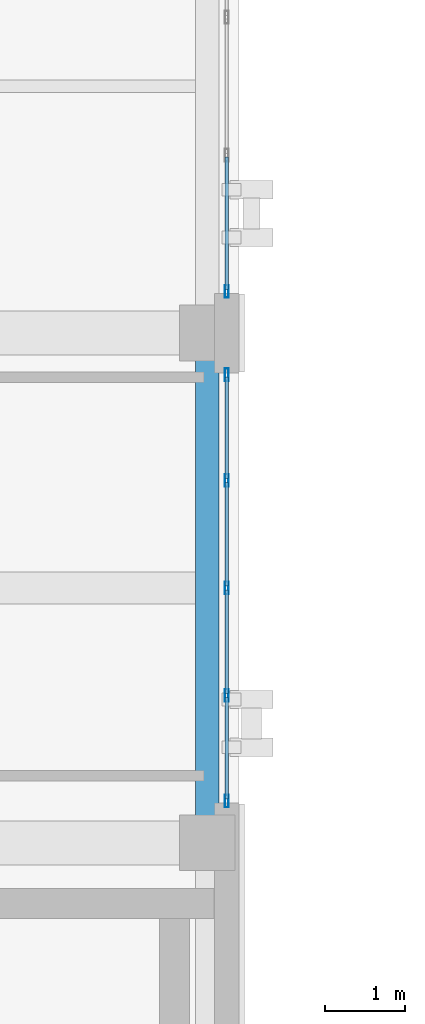
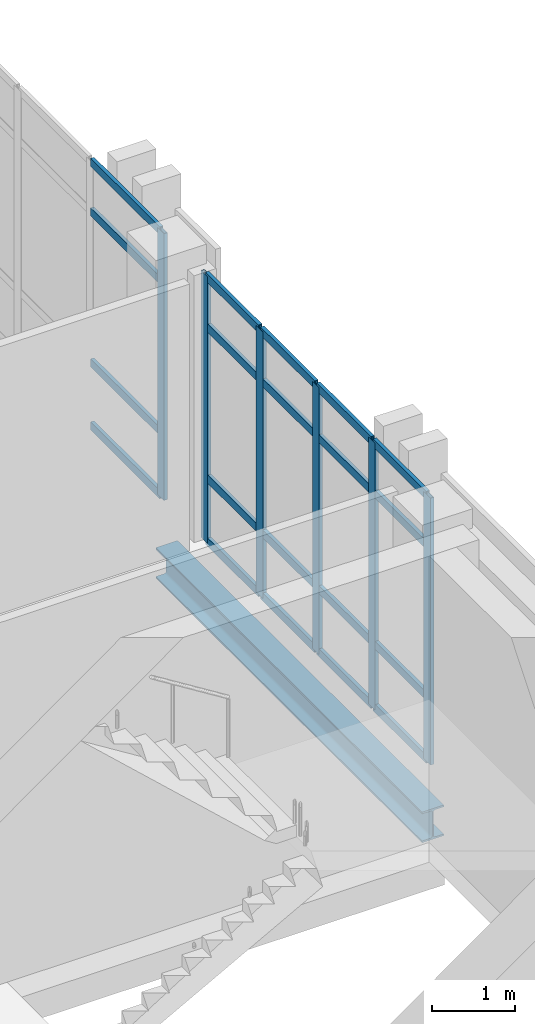
# One storey, part 108 of 193: 26 members, 1 beam, 2 elements without a shape of their own.
"""IFC4 building model written with IfcOpenShell, lengths in metres."""

from ifc_helpers import new_model, si_unit, direction, frame, origin, origin_2d, place, context, subcontext, project, spatial, hollow_rectangle, i_section, extrude, material, layer, layer_set, material_profile, profile_set, type_object, element, aggregate, save


model = new_model("IFC4")

# Units and contexts
model_context = context("Model", 3, precision=1e-05, world=origin(), true_north=direction((0.0, 1.0)))
body_context = subcontext(model_context, "Body", "Model", "MODEL_VIEW")
ifc_project = project(units=[si_unit("LENGTHUNIT", "METRE"), si_unit("AREAUNIT", "SQUARE_METRE"), si_unit("VOLUMEUNIT", "CUBIC_METRE"), si_unit("PLANEANGLEUNIT", "RADIAN"), si_unit("MASSUNIT", "GRAM", prefix="KILO")], contexts=[model_context])

# Site, building, storey
site_placement = place(None, origin())
site = spatial("IfcSite", under=ifc_project, at=site_placement, CompositionType="ELEMENT")
building_placement = place(site_placement, origin())
building = spatial("IfcBuilding", under=site, at=building_placement, Name="Qalavern Law Courts", CompositionType="ELEMENT")
storey_placement = place(building_placement, frame((0.0, 0.0, 10.199951171875)))
storey = spatial("IfcBuildingStorey", under=building, at=storey_placement, Name="L02", CompositionType="ELEMENT", Elevation=10.199951171875)

# Curtain wall, members
ifc_material_1 = material(Name="Anodised aluminium and insulated glazing", Category="aluminium")
ifc_layer = layer(ifc_material_1, 0.172119140625)
ifc_layer_set = layer_set([ifc_layer], Name="Anodised aluminium and insulated glazing")
curtain_wall_type = type_object("IfcCurtainWallType", Name="ENV-CW-COURT", PredefinedType="USERDEFINED", material=ifc_layer_set)
curtain_wall_1_placement = place(storey_placement, origin())
curtain_wall_1 = element("IfcCurtainWall", 1, at=curtain_wall_1_placement, inside=storey, type_object=curtain_wall_type, Name="V4 unitised curtain wall L02 east 4", ObjectType="UNITISED CURTAIN WALL", PredefinedType="USERDEFINED")
ifc_material_2 = material(Name="Anodised aluminium", Category="aluminium")
ifc_material_profile_1 = material_profile(ifc_material_2, hollow_rectangle(XDim=0.048095703125, YDim=0.159912109375, WallThickness=0.00390625, at=origin_2d()), Name="ALU MULLION 48x160")
ifc_profile_set_1 = profile_set([ifc_material_profile_1], Name="Anodised aluminium")
member_type_1 = type_object("IfcMemberType", Name="ENV-CWM-48x160", PredefinedType="MULLION", material=ifc_profile_set_1)
member_1_placement = place(storey_placement, frame((106.64501953125, 73.323974609375, 0.0), z_axis=(0.0, 0.0, 1.0), x_axis=(-1.0, 0.0, 0.0)))
member_1 = element("IfcMember", 2, at=member_1_placement, type_object=member_type_1, Name="CW-03 mullion 1", PredefinedType="MULLION", context=body_context, shape_type="SweptSolid", body=[
    extrude(hollow_rectangle(XDim=0.048095703125, YDim=0.159912109375, WallThickness=0.00390625, at=origin_2d()), origin(), (0.0, 0.0, 1.0), 3.9150390625),
])
member_2_placement = place(storey_placement, frame((106.64501953125, 74.64990234375, 0.0), z_axis=(0.0, 0.0, 1.0), x_axis=(-1.0, 0.0, 0.0)))
member_2 = element("IfcMember", 3, at=member_2_placement, type_object=member_type_1, Name="CW-03 mullion 2", PredefinedType="MULLION", context=body_context, shape_type="SweptSolid", body=[
    extrude(hollow_rectangle(XDim=0.048095703125, YDim=0.159912109375, WallThickness=0.00390625, at=origin_2d()), origin(), (0.0, 0.0, 1.0), 3.9150390625),
])
member_3_placement = place(storey_placement, frame((106.64501953125, 76.0, 0.0), z_axis=(0.0, 0.0, 1.0), x_axis=(-1.0, 0.0, 0.0)))
member_3 = element("IfcMember", 4, at=member_3_placement, type_object=member_type_1, Name="CW-03 mullion 3", PredefinedType="MULLION", context=body_context, shape_type="SweptSolid", body=[
    extrude(hollow_rectangle(XDim=0.048095703125, YDim=0.159912109375, WallThickness=0.00390625, at=origin_2d()), origin(), (0.0, 0.0, 1.0), 3.9150390625),
])
member_4_placement = place(storey_placement, frame((106.64501953125, 77.35009765625, 0.0), z_axis=(0.0, 0.0, 1.0), x_axis=(-1.0, 0.0, 0.0)))
member_4 = element("IfcMember", 5, at=member_4_placement, type_object=member_type_1, Name="CW-03 mullion 4", PredefinedType="MULLION", context=body_context, shape_type="SweptSolid", body=[
    extrude(hollow_rectangle(XDim=0.048095703125, YDim=0.159912109375, WallThickness=0.00390625, at=origin_2d()), origin(), (0.0, 0.0, 1.0), 3.9150390625),
])
member_5_placement = place(storey_placement, frame((106.64501953125, 78.676025390625, 0.0), z_axis=(0.0, 0.0, 1.0), x_axis=(-1.0, 0.0, 0.0)))
member_5 = element("IfcMember", 6, at=member_5_placement, type_object=member_type_1, Name="CW-03 mullion 5", PredefinedType="MULLION", context=body_context, shape_type="SweptSolid", body=[
    extrude(hollow_rectangle(XDim=0.048095703125, YDim=0.159912109375, WallThickness=0.00390625, at=origin_2d()), origin(), (0.0, 0.0, 1.0), 3.9150390625),
])

# Curtain wall, member
curtain_wall_2_placement = place(storey_placement, origin())
curtain_wall_2 = element("IfcCurtainWall", 7, at=curtain_wall_2_placement, inside=storey, type_object=curtain_wall_type, Name="V4 unitised curtain wall L02 east 5", ObjectType="UNITISED CURTAIN WALL", PredefinedType="USERDEFINED")
member_6_placement = place(storey_placement, frame((106.64501953125, 79.72412109375, 0.0), z_axis=(0.0, 0.0, 1.0), x_axis=(-1.0, 0.0, 0.0)))
member_6 = element("IfcMember", 8, at=member_6_placement, type_object=member_type_1, Name="CW-03 mullion 1", PredefinedType="MULLION", context=body_context, shape_type="SweptSolid", body=[
    extrude(hollow_rectangle(XDim=0.048095703125, YDim=0.159912109375, WallThickness=0.00390625, at=origin_2d()), origin(), (0.0, 0.0, 1.0), 3.9150390625),
])

# Member
ifc_material_profile_2 = material_profile(ifc_material_2, hollow_rectangle(XDim=0.048095703125, YDim=0.1201171875, WallThickness=0.00390625, at=origin_2d()), Name="ALU TRANSOM 48x120")
ifc_profile_set_2 = profile_set([ifc_material_profile_2], Name="Anodised aluminium")
member_type_2 = type_object("IfcMemberType", Name="ENV-CWT-48x120", PredefinedType="USERDEFINED", material=ifc_profile_set_2)
member_7_placement = place(storey_placement, frame((106.64501953125, 73.347900390625, 0.024169921875), z_axis=(0.0, 1.0, 0.0), x_axis=(-1.0, 0.0, 0.0)))
member_7 = element("IfcMember", 9, at=member_7_placement, type_object=member_type_2, Name="CW-03 transom 1.1", ObjectType="TRANSOM", PredefinedType="USERDEFINED", context=body_context, shape_type="SweptSolid", body=[
    extrude(hollow_rectangle(XDim=0.048095703125, YDim=0.1201171875, WallThickness=0.00390625, at=origin_2d()), origin(), (0.0, 0.0, 1.0), 1.278076171875),
])

member_8_placement = place(storey_placement, frame((106.64501953125, 73.347900390625, 0.949951171875), z_axis=(0.0, 1.0, 0.0), x_axis=(-1.0, 0.0, 0.0)))
member_8 = element("IfcMember", 10, at=member_8_placement, type_object=member_type_2, Name="CW-03 transom 1.2", ObjectType="TRANSOM", PredefinedType="USERDEFINED", context=body_context, shape_type="SweptSolid", body=[
    extrude(hollow_rectangle(XDim=0.048095703125, YDim=0.1201171875, WallThickness=0.00390625, at=origin_2d()), origin(), (0.0, 0.0, 1.0), 1.278076171875),
])

member_9_placement = place(storey_placement, frame((106.64501953125, 73.347900390625, 3.1650390625), z_axis=(0.0, 1.0, 0.0), x_axis=(-1.0, 0.0, 0.0)))
member_9 = element("IfcMember", 11, at=member_9_placement, type_object=member_type_2, Name="CW-03 transom 1.3", ObjectType="TRANSOM", PredefinedType="USERDEFINED", context=body_context, shape_type="SweptSolid", body=[
    extrude(hollow_rectangle(XDim=0.048095703125, YDim=0.1201171875, WallThickness=0.00390625, at=origin_2d()), origin(), (0.0, 0.0, 1.0), 1.278076171875),
])

member_10_placement = place(storey_placement, frame((106.64501953125, 73.347900390625, 3.89111328125), z_axis=(0.0, 1.0, 0.0), x_axis=(-1.0, 0.0, 0.0)))
member_10 = element("IfcMember", 12, at=member_10_placement, type_object=member_type_2, Name="CW-03 transom 1.4", ObjectType="TRANSOM", PredefinedType="USERDEFINED", context=body_context, shape_type="SweptSolid", body=[
    extrude(hollow_rectangle(XDim=0.048095703125, YDim=0.1201171875, WallThickness=0.00390625, at=origin_2d()), origin(), (0.0, 0.0, 1.0), 1.278076171875),
])

member_11_placement = place(storey_placement, frame((106.64501953125, 74.674072265625, 0.024169921875), z_axis=(0.0, 1.0, 0.0), x_axis=(-1.0, 0.0, 0.0)))
member_11 = element("IfcMember", 13, at=member_11_placement, type_object=member_type_2, Name="CW-03 transom 2.1", ObjectType="TRANSOM", PredefinedType="USERDEFINED", context=body_context, shape_type="SweptSolid", body=[
    extrude(hollow_rectangle(XDim=0.048095703125, YDim=0.1201171875, WallThickness=0.00390625, at=origin_2d()), origin(), (0.0, 0.0, 1.0), 1.302001953125),
])

member_12_placement = place(storey_placement, frame((106.64501953125, 74.674072265625, 0.949951171875), z_axis=(0.0, 1.0, 0.0), x_axis=(-1.0, 0.0, 0.0)))
member_12 = element("IfcMember", 14, at=member_12_placement, type_object=member_type_2, Name="CW-03 transom 2.2", ObjectType="TRANSOM", PredefinedType="USERDEFINED", context=body_context, shape_type="SweptSolid", body=[
    extrude(hollow_rectangle(XDim=0.048095703125, YDim=0.1201171875, WallThickness=0.00390625, at=origin_2d()), origin(), (0.0, 0.0, 1.0), 1.302001953125),
])

member_13_placement = place(storey_placement, frame((106.64501953125, 74.674072265625, 3.1650390625), z_axis=(0.0, 1.0, 0.0), x_axis=(-1.0, 0.0, 0.0)))
member_13 = element("IfcMember", 15, at=member_13_placement, type_object=member_type_2, Name="CW-03 transom 2.3", ObjectType="TRANSOM", PredefinedType="USERDEFINED", context=body_context, shape_type="SweptSolid", body=[
    extrude(hollow_rectangle(XDim=0.048095703125, YDim=0.1201171875, WallThickness=0.00390625, at=origin_2d()), origin(), (0.0, 0.0, 1.0), 1.302001953125),
])

member_14_placement = place(storey_placement, frame((106.64501953125, 74.674072265625, 3.89111328125), z_axis=(0.0, 1.0, 0.0), x_axis=(-1.0, 0.0, 0.0)))
member_14 = element("IfcMember", 16, at=member_14_placement, type_object=member_type_2, Name="CW-03 transom 2.4", ObjectType="TRANSOM", PredefinedType="USERDEFINED", context=body_context, shape_type="SweptSolid", body=[
    extrude(hollow_rectangle(XDim=0.048095703125, YDim=0.1201171875, WallThickness=0.00390625, at=origin_2d()), origin(), (0.0, 0.0, 1.0), 1.302001953125),
])

member_15_placement = place(storey_placement, frame((106.64501953125, 76.02392578125, 0.024169921875), z_axis=(0.0, 1.0, 0.0), x_axis=(-1.0, 0.0, 0.0)))
member_15 = element("IfcMember", 17, at=member_15_placement, type_object=member_type_2, Name="CW-03 transom 3.1", ObjectType="TRANSOM", PredefinedType="USERDEFINED", context=body_context, shape_type="SweptSolid", body=[
    extrude(hollow_rectangle(XDim=0.048095703125, YDim=0.1201171875, WallThickness=0.00390625, at=origin_2d()), origin(), (0.0, 0.0, 1.0), 1.302001953125),
])

member_16_placement = place(storey_placement, frame((106.64501953125, 76.02392578125, 0.949951171875), z_axis=(0.0, 1.0, 0.0), x_axis=(-1.0, 0.0, 0.0)))
member_16 = element("IfcMember", 18, at=member_16_placement, type_object=member_type_2, Name="CW-03 transom 3.2", ObjectType="TRANSOM", PredefinedType="USERDEFINED", context=body_context, shape_type="SweptSolid", body=[
    extrude(hollow_rectangle(XDim=0.048095703125, YDim=0.1201171875, WallThickness=0.00390625, at=origin_2d()), origin(), (0.0, 0.0, 1.0), 1.302001953125),
])

member_17_placement = place(storey_placement, frame((106.64501953125, 76.02392578125, 3.1650390625), z_axis=(0.0, 1.0, 0.0), x_axis=(-1.0, 0.0, 0.0)))
member_17 = element("IfcMember", 19, at=member_17_placement, type_object=member_type_2, Name="CW-03 transom 3.3", ObjectType="TRANSOM", PredefinedType="USERDEFINED", context=body_context, shape_type="SweptSolid", body=[
    extrude(hollow_rectangle(XDim=0.048095703125, YDim=0.1201171875, WallThickness=0.00390625, at=origin_2d()), origin(), (0.0, 0.0, 1.0), 1.302001953125),
])

member_18_placement = place(storey_placement, frame((106.64501953125, 76.02392578125, 3.89111328125), z_axis=(0.0, 1.0, 0.0), x_axis=(-1.0, 0.0, 0.0)))
member_18 = element("IfcMember", 20, at=member_18_placement, type_object=member_type_2, Name="CW-03 transom 3.4", ObjectType="TRANSOM", PredefinedType="USERDEFINED", context=body_context, shape_type="SweptSolid", body=[
    extrude(hollow_rectangle(XDim=0.048095703125, YDim=0.1201171875, WallThickness=0.00390625, at=origin_2d()), origin(), (0.0, 0.0, 1.0), 1.302001953125),
])

member_19_placement = place(storey_placement, frame((106.64501953125, 77.3740234375, 0.024169921875), z_axis=(0.0, 1.0, 0.0), x_axis=(-1.0, 0.0, 0.0)))
member_19 = element("IfcMember", 21, at=member_19_placement, type_object=member_type_2, Name="CW-03 transom 4.1", ObjectType="TRANSOM", PredefinedType="USERDEFINED", context=body_context, shape_type="SweptSolid", body=[
    extrude(hollow_rectangle(XDim=0.048095703125, YDim=0.1201171875, WallThickness=0.00390625, at=origin_2d()), origin(), (0.0, 0.0, 1.0), 1.278076171875),
])

member_20_placement = place(storey_placement, frame((106.64501953125, 77.3740234375, 0.949951171875), z_axis=(0.0, 1.0, 0.0), x_axis=(-1.0, 0.0, 0.0)))
member_20 = element("IfcMember", 22, at=member_20_placement, type_object=member_type_2, Name="CW-03 transom 4.2", ObjectType="TRANSOM", PredefinedType="USERDEFINED", context=body_context, shape_type="SweptSolid", body=[
    extrude(hollow_rectangle(XDim=0.048095703125, YDim=0.1201171875, WallThickness=0.00390625, at=origin_2d()), origin(), (0.0, 0.0, 1.0), 1.278076171875),
])

member_21_placement = place(storey_placement, frame((106.64501953125, 77.3740234375, 3.1650390625), z_axis=(0.0, 1.0, 0.0), x_axis=(-1.0, 0.0, 0.0)))
member_21 = element("IfcMember", 23, at=member_21_placement, type_object=member_type_2, Name="CW-03 transom 4.3", ObjectType="TRANSOM", PredefinedType="USERDEFINED", context=body_context, shape_type="SweptSolid", body=[
    extrude(hollow_rectangle(XDim=0.048095703125, YDim=0.1201171875, WallThickness=0.00390625, at=origin_2d()), origin(), (0.0, 0.0, 1.0), 1.278076171875),
])

member_22_placement = place(storey_placement, frame((106.64501953125, 77.3740234375, 3.89111328125), z_axis=(0.0, 1.0, 0.0), x_axis=(-1.0, 0.0, 0.0)))
member_22 = element("IfcMember", 24, at=member_22_placement, type_object=member_type_2, Name="CW-03 transom 4.4", ObjectType="TRANSOM", PredefinedType="USERDEFINED", context=body_context, shape_type="SweptSolid", body=[
    extrude(hollow_rectangle(XDim=0.048095703125, YDim=0.1201171875, WallThickness=0.00390625, at=origin_2d()), origin(), (0.0, 0.0, 1.0), 1.278076171875),
])

aggregate(curtain_wall_1, [member_1, member_2, member_3, member_4, member_5, member_7, member_8, member_9, member_10, member_11, member_12, member_13, member_14, member_15, member_16, member_17, member_18, member_19, member_20, member_21, member_22])

member_23_placement = place(storey_placement, frame((106.64501953125, 79.748046875, 0.024169921875), z_axis=(0.0, 1.0, 0.0), x_axis=(-1.0, 0.0, 0.0)))
member_23 = element("IfcMember", 25, at=member_23_placement, type_object=member_type_2, Name="CW-03 transom 1.1", ObjectType="TRANSOM", PredefinedType="USERDEFINED", context=body_context, shape_type="SweptSolid", body=[
    extrude(hollow_rectangle(XDim=0.048095703125, YDim=0.1201171875, WallThickness=0.00390625, at=origin_2d()), origin(), (0.0, 0.0, 1.0), 1.661376953125),
])

member_24_placement = place(storey_placement, frame((106.64501953125, 79.748046875, 0.949951171875), z_axis=(0.0, 1.0, 0.0), x_axis=(-1.0, 0.0, 0.0)))
member_24 = element("IfcMember", 26, at=member_24_placement, type_object=member_type_2, Name="CW-03 transom 1.2", ObjectType="TRANSOM", PredefinedType="USERDEFINED", context=body_context, shape_type="SweptSolid", body=[
    extrude(hollow_rectangle(XDim=0.048095703125, YDim=0.1201171875, WallThickness=0.00390625, at=origin_2d()), origin(), (0.0, 0.0, 1.0), 1.661376953125),
])

member_25_placement = place(storey_placement, frame((106.64501953125, 79.748046875, 3.1650390625), z_axis=(0.0, 1.0, 0.0), x_axis=(-1.0, 0.0, 0.0)))
member_25 = element("IfcMember", 27, at=member_25_placement, type_object=member_type_2, Name="CW-03 transom 1.3", ObjectType="TRANSOM", PredefinedType="USERDEFINED", context=body_context, shape_type="SweptSolid", body=[
    extrude(hollow_rectangle(XDim=0.048095703125, YDim=0.1201171875, WallThickness=0.00390625, at=origin_2d()), origin(), (0.0, 0.0, 1.0), 1.661376953125),
])

member_26_placement = place(storey_placement, frame((106.64501953125, 79.748046875, 3.89111328125), z_axis=(0.0, 1.0, 0.0), x_axis=(-1.0, 0.0, 0.0)))
member_26 = element("IfcMember", 28, at=member_26_placement, type_object=member_type_2, Name="CW-03 transom 1.4", ObjectType="TRANSOM", PredefinedType="USERDEFINED", context=body_context, shape_type="SweptSolid", body=[
    extrude(hollow_rectangle(XDim=0.048095703125, YDim=0.1201171875, WallThickness=0.00390625, at=origin_2d()), origin(), (0.0, 0.0, 1.0), 1.661376953125),
])

aggregate(curtain_wall_2, [member_6, member_23, member_24, member_25, member_26])

# Beam
ifc_material_3 = material(Name="Steel S355", Category="steel")
ifc_material_profile_3 = material_profile(ifc_material_3, i_section(OverallWidth=0.300048828125, OverallDepth=0.449951171875, WebThickness=0.013916015625, FlangeThickness=0.02587890625, FilletRadius=0.027099609375, at=origin_2d()), Name="HEB 450")
ifc_profile_set_3 = profile_set([ifc_material_profile_3], Name="Steel S355")
beam_type = type_object("IfcBeamType", Name="STR-SP-HEB450", PredefinedType="SPANDREL", material=ifc_profile_set_3)
beam_placement = place(storey_placement, frame((106.39990234375, 72.800048828125, -0.514892578125), z_axis=(0.0, 1.0, 0.0), x_axis=(-1.0, 0.0, 0.0)))
element("IfcBeam", 29, at=beam_placement, inside=storey, type_object=beam_type, Name="V4 Y-beam 3-5 L02", PredefinedType="SPANDREL", context=body_context, shape_type="SweptSolid", body=[
    extrude(i_section(OverallWidth=0.300048828125, OverallDepth=0.449951171875, WebThickness=0.013916015625, FlangeThickness=0.02587890625, FilletRadius=0.027099609375, at=origin_2d()), origin(), (0.0, 0.0, 1.0), 6.39990234375),
])

save(model, "model.ifc")
